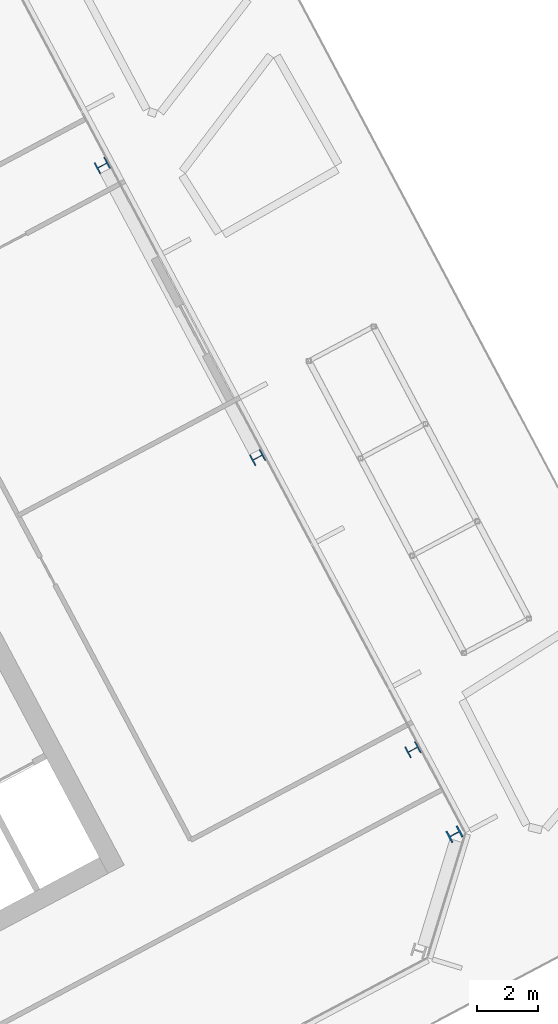
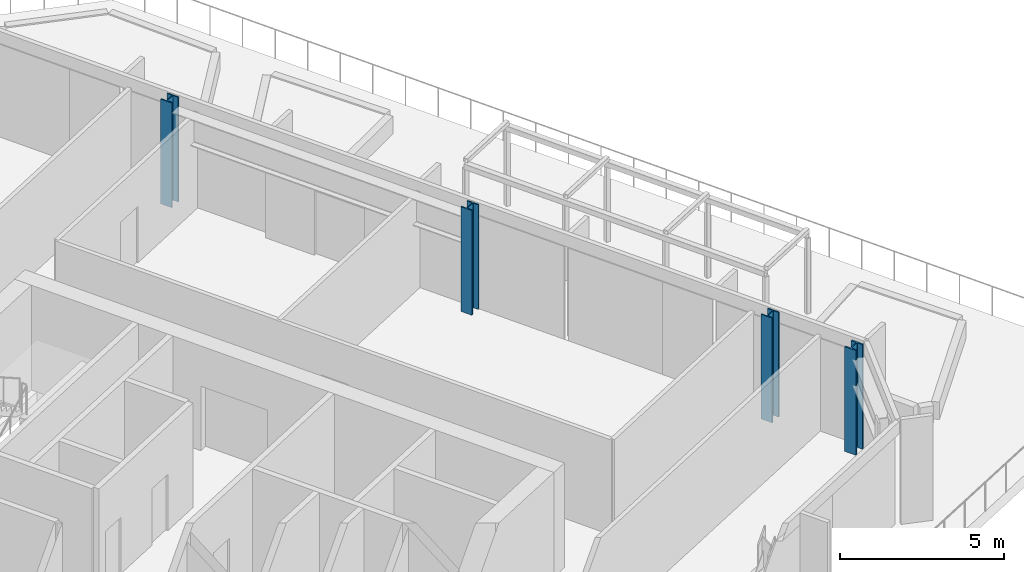
# One storey, part 7 of 31: 4 columns.
"""IFC4 building model written with IfcOpenShell, lengths in metres."""

import ifcopenshell
import ifcopenshell.guid

model = None  # the IFC model being written
_history = None  # IfcOwnerHistory: only IFC2X3 demands one
_inside = {}  # id of a spatial element -> (the spatial element, [elements in it])
_under = {}  # id of a project, library or spatial element -> (it, [spatial elements below it])
_declared = {}  # id of a project -> (the project, [libraries it declares])
_typed = {}  # id of a type object -> (the type object, [elements of that type])
_made_of = {}  # id of a material, layer set ... -> (it, [elements and type objects made of it])


def new_model(schema):
    """Start an empty IFC model of exactly this schema.

    Asked for "IFC4X3", IfcOpenShell would pick the latest addendum, in which some entities
    have other attributes; the version numbers below select the first issue.
    IFC2X3 requires an IfcOwnerHistory on every rooted entity: one is made here for all.
    """
    global model, _history
    if schema == "IFC4X3":
        model = ifcopenshell.file(schema_version=(4, 3, 0, 0))
    else:
        model = ifcopenshell.file(schema=schema)
    _inside.clear()
    _under.clear()
    _declared.clear()
    _typed.clear()
    _made_of.clear()
    _history = None
    if model.schema == "IFC2X3":
        org = make("IfcOrganization", Name="unknown")
        user = make(
            "IfcPersonAndOrganization",
            ThePerson=make("IfcPerson", FamilyName="unknown"),
            TheOrganization=org,
        )
        app = make(
            "IfcApplication",
            ApplicationDeveloper=org,
            Version="unknown",
            ApplicationFullName="unknown",
            ApplicationIdentifier="unknown",
        )
        _history = make(
            "IfcOwnerHistory",
            OwningUser=user,
            OwningApplication=app,
            ChangeAction="ADDED",
            CreationDate=0,
        )
    return model


def make(cls, **values):
    """One entity of the class cls with the attributes given. An attribute that is None is left unset."""
    return model.create_entity(
        cls, **{name: value for name, value in values.items() if value is not None}
    )


def rooted(cls, **values):
    """An entity with a GlobalId (a new one), such as an element, a storey or a relation."""
    return make(cls, GlobalId=ifcopenshell.guid.new(), OwnerHistory=_history, **values)


def si_unit(unit_type, name, prefix=None):
    """IfcSIUnit, for example si_unit("LENGTHUNIT", "METRE", prefix="MILLI")."""
    return make("IfcSIUnit", UnitType=unit_type, Prefix=prefix, Name=name)


def assignment(units):
    """IfcUnitAssignment: the units of a project."""
    return None if units is None else make("IfcUnitAssignment", Units=units)


def point(xyz):
    """IfcCartesianPoint."""
    return None if xyz is None else make("IfcCartesianPoint", Coordinates=xyz)


def direction(xyz):
    """IfcDirection."""
    return None if xyz is None else make("IfcDirection", DirectionRatios=xyz)


def frame(location, z_axis=None, x_axis=None):
    """IfcAxis2Placement3D, a coordinate frame: its origin and axes. An axis left out is left unset."""
    return make(
        "IfcAxis2Placement3D",
        Location=point(location),
        Axis=direction(z_axis),
        RefDirection=direction(x_axis),
    )


def frame_2d(location, x_axis=None):
    """IfcAxis2Placement2D, a coordinate frame in the plane: its origin and x axis."""
    return make(
        "IfcAxis2Placement2D", Location=point(location), RefDirection=direction(x_axis)
    )


def origin():
    """The frame at (0, 0, 0) with its axes left unset."""
    return frame((0.0, 0.0, 0.0))


def origin_2d():
    """The frame at (0, 0) in the plane with its x axis left unset."""
    return frame_2d((0.0, 0.0))


def place(relative_to, where):
    """IfcLocalPlacement: puts the frame where relative to a parent placement (None: the world)."""
    return make(
        "IfcLocalPlacement", PlacementRelTo=relative_to, RelativePlacement=where
    )


def context(
    kind, dimensions, precision=None, world=None, true_north=None, identifier=None
):
    """IfcGeometricRepresentationContext, for example the 3D "Model" context."""
    return make(
        "IfcGeometricRepresentationContext",
        ContextIdentifier=identifier,
        ContextType=kind,
        CoordinateSpaceDimension=dimensions,
        Precision=precision,
        WorldCoordinateSystem=world,
        TrueNorth=true_north,
    )


def subcontext(parent, identifier, kind, view, scale=None):
    """IfcGeometricRepresentationSubContext, for example "Body" below "Model"."""
    return make(
        "IfcGeometricRepresentationSubContext",
        ContextIdentifier=identifier,
        ContextType=kind,
        ParentContext=parent,
        TargetScale=scale,
        TargetView=view,
    )


def project(units=None, contexts=None):
    """IfcProject with its units and contexts."""
    return rooted(
        "IfcProject",
        Name="project",
        RepresentationContexts=contexts,
        UnitsInContext=assignment(units),
    )


def spatial(cls, under=None, at=None, **own):
    """A site, building, storey or space (cls), placed at a placement, below another one or the project."""
    s = rooted(cls, ObjectPlacement=at, **own)
    if under is not None:
        _under.setdefault(under.id(), (under, []))[1].append(s)
    return s


def profile(cls, at=None, kind="AREA", **sizes):
    """A parametric profile (cls). Its sizes go by their IFC names, for example OverallWidth=200.0."""
    return make(cls, ProfileType=kind, Position=at, **sizes)


def i_section(**sizes):
    """IfcIShapeProfileDef."""
    return profile("IfcIShapeProfileDef", **sizes)


def extrude(swept, where, along, depth):
    """IfcExtrudedAreaSolid: the profile swept, set in the frame where, extruded along a direction by depth."""
    return make(
        "IfcExtrudedAreaSolid",
        SweptArea=swept,
        Position=where,
        ExtrudedDirection=direction(along),
        Depth=depth,
    )


def shape(context_of_items, identifier, shape_type, items):
    """IfcShapeRepresentation: the items that make up one representation, for example the "Body"."""
    return make(
        "IfcShapeRepresentation",
        ContextOfItems=context_of_items,
        RepresentationIdentifier=identifier,
        RepresentationType=shape_type,
        Items=items,
    )


def material(Name=None, Category=None):
    """IfcMaterial."""
    return make("IfcMaterial", Name=Name, Category=Category)


def material_profile(
    of_material, cross_section, Name=None, Category=None, Priority=None
):
    """IfcMaterialProfile: a cross section and its material."""
    return make(
        "IfcMaterialProfile",
        Name=Name,
        Material=of_material,
        Profile=cross_section,
        Priority=Priority,
        Category=Category,
    )


def profile_set(profiles, Name=None, composite=None):
    """IfcMaterialProfileSet."""
    return make(
        "IfcMaterialProfileSet",
        Name=Name,
        MaterialProfiles=profiles,
        CompositeProfile=composite,
    )


def made_of(thing, what):
    """Note that an element or type object is made of a material, layer set ...; save() writes the relation."""
    if what is not None:
        _made_of.setdefault(what.id(), (what, []))[1].append(thing)
    return thing


def type_object(cls, material=None, **own):
    """A type object (cls), such as IfcWallType, which elements share."""
    return made_of(rooted(cls, **own), material)


def element(
    cls,
    number,
    at=None,
    inside=None,
    cuts=None,
    type_object=None,
    material=None,
    context=None,
    identifier="Body",
    shape_type=None,
    held_by="IfcProductDefinitionShape",
    body=None,
    shapes=None,
    **own,
):
    """One element of the class cls, such as IfcWall. Its Tag is "e" and its number.

    at: its placement. inside: the storey or other place that contains it. cuts: it is an
    opening in that element (IfcRelVoidsElement). A single representation is given by context,
    identifier, shape_type and body (its items); several are given by shapes. held_by: the class
    of the entity that holds the representations. save() writes the other relations.
    """
    e = rooted(cls, Tag="e%d" % number, ObjectPlacement=at, **own)
    if body is not None:
        shapes = [shape(context, identifier, shape_type, body)]
    if shapes is not None:
        e.Representation = make(held_by, Representations=shapes)
    if inside is not None:
        _inside.setdefault(inside.id(), (inside, []))[1].append(e)
    if cuts is not None:
        rooted(
            "IfcRelVoidsElement", RelatingBuildingElement=cuts, RelatedOpeningElement=e
        )
    if type_object is not None:
        _typed.setdefault(type_object.id(), (type_object, []))[1].append(e)
    return made_of(e, material)


def aggregate(whole, parts):
    """IfcRelAggregates: a whole, such as a stair, and the parts it consists of."""
    return rooted("IfcRelAggregates", RelatingObject=whole, RelatedObjects=parts)


def save(model, path):
    """Write the relations noted so far, then the file.

    IfcRelAggregates (storeys below a building ...), IfcRelContainedInSpatialStructure (elements
    in a storey), IfcRelDefinesByType, IfcRelAssociatesMaterial and IfcRelDeclares: one each for
    every whole, place, type object, material and project.
    """
    for whole, parts in _under.values():
        aggregate(whole, parts)
    for where, things in _inside.values():
        rooted(
            "IfcRelContainedInSpatialStructure",
            RelatedElements=things,
            RelatingStructure=where,
        )
    for kind, things in _typed.values():
        rooted("IfcRelDefinesByType", RelatedObjects=things, RelatingType=kind)
    for what, things in _made_of.values():
        rooted("IfcRelAssociatesMaterial", RelatedObjects=things, RelatingMaterial=what)
    for by, libraries in _declared.values():
        rooted("IfcRelDeclares", RelatingContext=by, RelatedDefinitions=libraries)
    model.write(path)


model = new_model("IFC4")

# Units and contexts
model_context = context("Model", 3, precision=1e-05, world=origin(), true_north=direction((0.0, 1.0)))
body_context = subcontext(model_context, "Body", "Model", "MODEL_VIEW")
ifc_project = project(units=[si_unit("LENGTHUNIT", "METRE"), si_unit("AREAUNIT", "SQUARE_METRE"), si_unit("VOLUMEUNIT", "CUBIC_METRE"), si_unit("PLANEANGLEUNIT", "RADIAN"), si_unit("MASSUNIT", "GRAM", prefix="KILO")], contexts=[model_context])

# Site, building, storey
site_placement = place(None, origin())
site = spatial("IfcSite", under=ifc_project, at=site_placement, CompositionType="ELEMENT")
building_placement = place(site_placement, origin())
building = spatial("IfcBuilding", under=site, at=building_placement, Name="Cormorant Relay Tower", CompositionType="ELEMENT")
storey_placement = place(building_placement, frame((0.0, 0.0, 189.60009765625)))
storey = spatial("IfcBuildingStorey", under=building, at=storey_placement, Name="L40", CompositionType="ELEMENT", Elevation=189.60009765625)

# Columns
ifc_material_1 = material(Name="Steel ASTM A992 (Fy 345 MPa)", Category="steel")
ifc_material_profile_1 = material_profile(ifc_material_1, i_section(OverallWidth=0.40380859375, OverallDepth=0.406494140625, WebThickness=0.027099609375, FlangeThickness=0.043701171875, FilletRadius=0.01513671875, at=origin_2d()), Name="W360x347")
ifc_profile_set_1 = profile_set([ifc_material_profile_1], Name="Steel ASTM A992 (Fy 345 MPa)")
column_type_1 = type_object("IfcColumnType", Name="Column W360x347", PredefinedType="COLUMN", material=ifc_profile_set_1)
for number, where, z_axis, x_axis, name in (
    (1, (47.26611328125, 12.89990234375, 0.0), (0.0, 0.0, 1.0), (-0.469471562786, 0.882947592859, 0.0), "Column L40-026"),
    (2, (42.196044921875, 22.43603515625, 0.0), (0.0, 0.0, 1.0), (-0.469471562786, 0.882947592859, 0.0), "Column L40-029"),
    (3, (37.1259765625, 31.971923828125, 0.0), (0.0, 0.0, 1.0), (-0.469471562786, 0.882947592859, 0.0), "Column L40-036"),
):
    element("IfcColumn", number, at=place(storey_placement, frame(where, z_axis=z_axis, x_axis=x_axis)), inside=storey, type_object=column_type_1, Name=name, PredefinedType="COLUMN", context=body_context, shape_type="SweptSolid", body=[
        extrude(i_section(OverallWidth=0.40380859375, OverallDepth=0.406494140625, WebThickness=0.027099609375, FlangeThickness=0.043701171875, FilletRadius=0.01513671875, at=origin_2d()), origin(), (0.0, 0.0, 1.0), 3.89990234375),
    ])
ifc_material_2 = material(Name="Steel ASTM A992 (Fy 345 MPa)", Category="steel")
ifc_material_profile_2 = material_profile(ifc_material_2, i_section(OverallWidth=0.41162109375, OverallDepth=0.434326171875, WebThickness=0.035888671875, FlangeThickness=0.057373046875, FilletRadius=0.01513671875, at=origin_2d()), Name="W360x463")
ifc_profile_set_2 = profile_set([ifc_material_profile_2], Name="Steel ASTM A992 (Fy 345 MPa)")
column_type_2 = type_object("IfcColumnType", Name="Column W360x463", PredefinedType="COLUMN", material=ifc_profile_set_2)
column_placement = place(storey_placement, frame((48.6259765625, 10.14208984375, 0.0), z_axis=(0.0, 0.0, 1.0), x_axis=(-0.469471562786, 0.882947592859, 0.0)))
element("IfcColumn", 4, at=column_placement, inside=storey, type_object=column_type_2, Name="Column L40-021", PredefinedType="COLUMN", context=body_context, shape_type="SweptSolid", body=[
    extrude(i_section(OverallWidth=0.41162109375, OverallDepth=0.434326171875, WebThickness=0.035888671875, FlangeThickness=0.057373046875, FilletRadius=0.01513671875, at=origin_2d()), origin(), (0.0, 0.0, 1.0), 3.89990234375),
])

save(model, "model.ifc")
